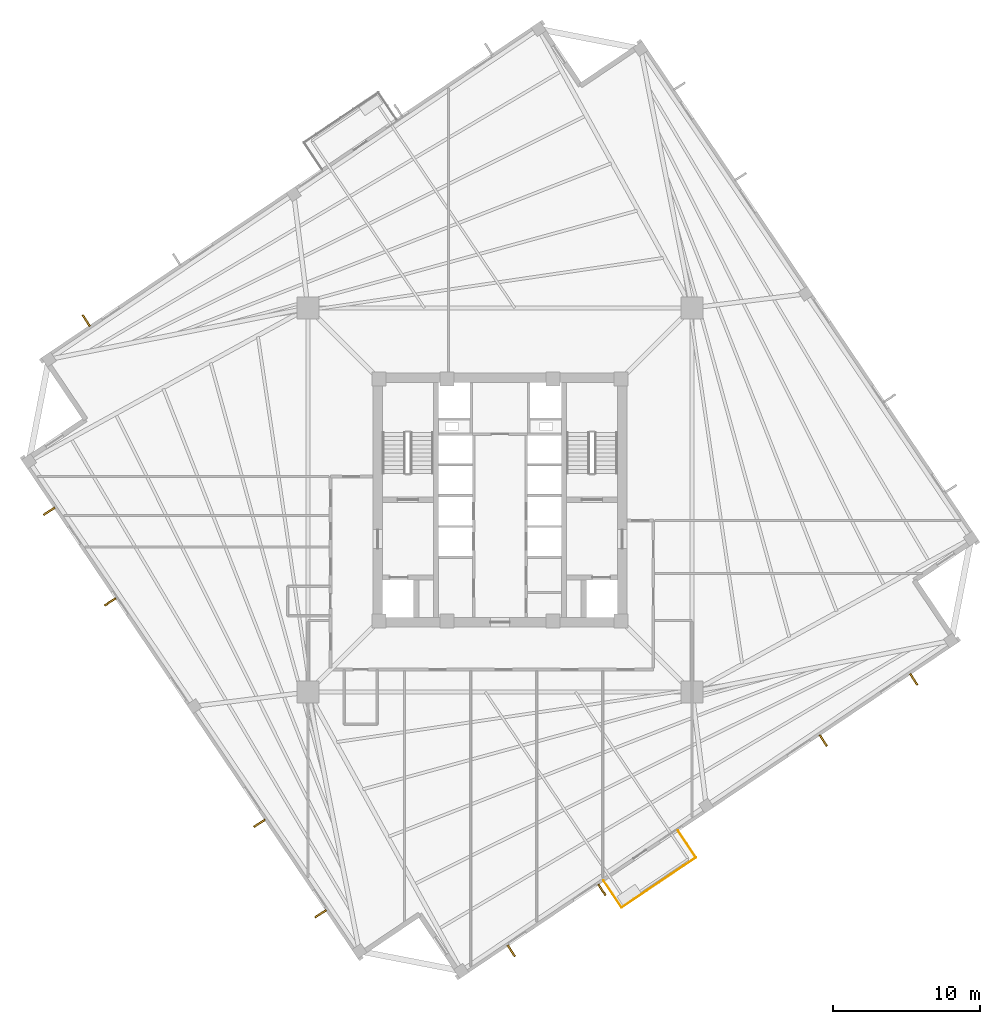
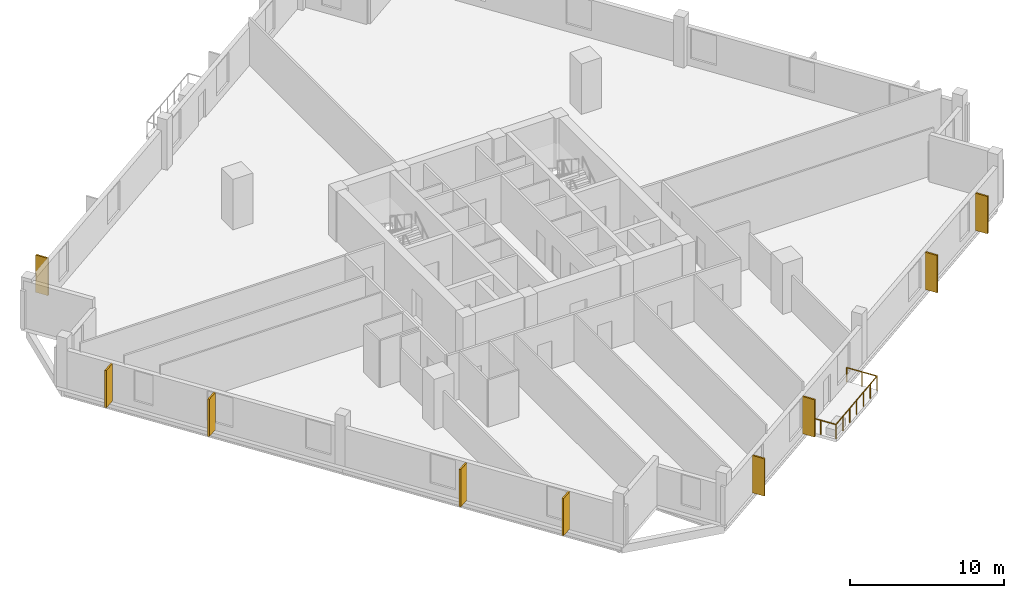
# One storey, part 7 of 9: 9 coverings, 3 railings.
"""IFC4 building model written with IfcOpenShell, lengths in metres."""

from ifc_helpers import new_model, si_unit, direction, frame, origin, origin_2d, place, context, subcontext, project, spatial, rectangle, circle, extrude, source, transform, mapped, material, layer, layer_set, type_object, element, save


model = new_model("IFC4")

# Units and contexts
model_context = context("Model", 3, precision=1e-05, world=origin(), true_north=direction((0.0, 1.0)))
body_context = subcontext(model_context, "Body", "Model", "MODEL_VIEW")
ifc_project = project(units=[si_unit("LENGTHUNIT", "METRE"), si_unit("AREAUNIT", "SQUARE_METRE"), si_unit("VOLUMEUNIT", "CUBIC_METRE"), si_unit("PLANEANGLEUNIT", "RADIAN"), si_unit("MASSUNIT", "GRAM", prefix="KILO"), si_unit("THERMODYNAMICTEMPERATUREUNIT", "KELVIN")], contexts=[model_context])

# Site, building, storey
site_placement = place(None, origin())
site = spatial("IfcSite", under=ifc_project, at=site_placement, CompositionType="ELEMENT")
building_placement = place(site_placement, origin())
building = spatial("IfcBuilding", under=site, at=building_placement, Name="Kosmvard Interchange Tower", CompositionType="ELEMENT")
storey_placement = place(building_placement, frame((0.0, 0.0, 164.39990234375)))
storey = spatial("IfcBuildingStorey", under=building, at=storey_placement, Name="L39", CompositionType="ELEMENT", Elevation=164.39990234375)

# Coverings
ifc_material_1 = material(Name="Architectural anodised aluminium", Category="aluminium")
ifc_layer = layer(ifc_material_1, 0.1201171875, Name="Architectural anodised aluminium")
ifc_layer_set = layer_set([ifc_layer], Name="Architectural anodised aluminium")
covering_type = type_object("IfcCoveringType", Name="Rotating Vertical Sun-Breaker Fin 900x120 Aluminium", PredefinedType="CLADDING", material=ifc_layer_set)
shared_shape_1 = source(origin(), body_context, "Body", "SweptSolid", [
    extrude(rectangle(XDim=0.89990234375, YDim=0.1201171875, at=origin_2d()), origin(), (0.0, 0.0, 1.0), 2.9599609375),
])
for number, where, z_axis, x_axis, name in (
    (1, (0.774169921875, -30.718994140625, 0.0400390625), (0.0, 0.0, 1.0), (0.549314536351, -0.835615665335, 0.0), "L39 Rotating Vertical Sun-Breaker Fin 01"),
    (2, (6.943115234375, -26.557861328125, 0.0400390625), (0.0, 0.0, 1.0), (0.549314536351, -0.835615665335, 0.0), "L39 Rotating Vertical Sun-Breaker Fin 02"),
    (3, (22.02294921875, -16.38623046875, 0.0400390625), (0.0, 0.0, 1.0), (0.549314536351, -0.835615665335, 0.0), "L39 Rotating Vertical Sun-Breaker Fin 03"),
    (4, (28.192138671875, -12.225341796875, 0.0400390625), (0.0, 0.0, 1.0), (0.549314536351, -0.835615665335, 0.0), "L39 Rotating Vertical Sun-Breaker Fin 04"),
    (5, (-28.192138671875, 12.225341796875, 0.0400390625), (0.0, 0.0, 1.0), (-0.549314536351, 0.835615665335, 0.0), "L39 Rotating Vertical Sun-Breaker Fin 12"),
    (6, (-30.718994140625, -0.774169921875, 0.0400390625), (0.0, 0.0, 1.0), (-0.835615665335, -0.549314536351, 0.0), "L39 Rotating Vertical Sun-Breaker Fin 13"),
    (7, (-26.557861328125, -6.943115234375, 0.0400390625), (0.0, 0.0, 1.0), (-0.835615665335, -0.549314536351, 0.0), "L39 Rotating Vertical Sun-Breaker Fin 14"),
    (8, (-16.38623046875, -22.02294921875, 0.0400390625), (0.0, 0.0, 1.0), (-0.835615665335, -0.549314536351, 0.0), "L39 Rotating Vertical Sun-Breaker Fin 15"),
    (9, (-12.225341796875, -28.192138671875, 0.0400390625), (0.0, 0.0, 1.0), (-0.835615665335, -0.549314536351, 0.0), "L39 Rotating Vertical Sun-Breaker Fin 16"),
):
    element("IfcCovering", number, at=place(storey_placement, frame(where, z_axis=z_axis, x_axis=x_axis)), inside=storey, type_object=covering_type, Name=name, PredefinedType="CLADDING", context=body_context, shape_type="MappedRepresentation", body=[
        mapped(shared_shape_1, transform((0.0, 0.0, 0.0), scale=1.0)),
    ])

# Railings
ifc_material_2 = material(Name="Steel S355", Category="steel")
railing_type = type_object("IfcRailingType", Name="Observation & Balcony Glass-Infill Balustrade 1150", PredefinedType="BALUSTRADE", material=ifc_material_2)
shared_shape_2 = source(origin(), body_context, "Body", "SweptSolid", [
    extrude(circle(Radius=0.02392578125, at=origin_2d()), frame((0.0, 0.0, 1.1259765625), z_axis=(0.559173597279, -0.829050594418, 0.0), x_axis=(0.829050594418, 0.559173597279, 0.0)), (0.0, 0.0, 1.0), 2.2001953125),
    extrude(circle(Radius=0.02099609375, at=origin_2d()), origin(), (0.0, 0.0, 1.0), 1.101806640625),
    extrude(circle(Radius=0.02099609375, at=origin_2d()), frame((0.615234375, -0.912109375, 0.0)), (0.0, 0.0, 1.0), 1.101806640625),
    extrude(circle(Radius=0.02099609375, at=origin_2d()), frame((1.230224609375, -1.823974609375, 0.0)), (0.0, 0.0, 1.0), 1.101806640625),
])
railing_1_placement = place(storey_placement, frame((7.060302734375, -25.93603515625, 0.0)))
element("IfcRailing", 10, at=railing_1_placement, inside=storey, type_object=railing_type, Name="L39 Outdoor Terrace Guard BAL-L39-S-A", PredefinedType="BALUSTRADE", context=body_context, shape_type="MappedRepresentation", body=[
    mapped(shared_shape_2, transform((0.0, 0.0, 0.0), scale=1.0)),
])
shared_shape_3 = source(origin(), body_context, "Body", "SweptSolid", [
    extrude(circle(Radius=0.02392578125, at=origin_2d()), frame((0.0, 0.0, 1.1259765625), z_axis=(0.829033294248, 0.55919924627, 0.0), x_axis=(-0.55919924627, 0.829033294248, 0.0)), (0.0, 0.0, 1.0), 6.10009765625),
    extrude(circle(Radius=0.02099609375, at=origin_2d()), origin(), (0.0, 0.0, 1.0), 1.101806640625),
    extrude(circle(Radius=0.02099609375, at=origin_2d()), frame((0.8427734375, 0.568603515625, 0.0)), (0.0, 0.0, 1.0), 1.101806640625),
    extrude(circle(Radius=0.02099609375, at=origin_2d()), frame((1.685791015625, 1.136962890625, 0.0)), (0.0, 0.0, 1.0), 1.101806640625),
    extrude(circle(Radius=0.02099609375, at=origin_2d()), frame((2.528564453125, 1.70556640625, 0.0)), (0.0, 0.0, 1.0), 1.101806640625),
    extrude(circle(Radius=0.02099609375, at=origin_2d()), frame((3.371337890625, 2.274169921875, 0.0)), (0.0, 0.0, 1.0), 1.101806640625),
    extrude(circle(Radius=0.02099609375, at=origin_2d()), frame((4.21435546875, 2.842529296875, 0.0)), (0.0, 0.0, 1.0), 1.101806640625),
    extrude(circle(Radius=0.02099609375, at=origin_2d()), frame((5.05712890625, 3.4111328125, 0.0)), (0.0, 0.0, 1.0), 1.101806640625),
])
railing_2_placement = place(storey_placement, frame((8.29052734375, -27.760009765625, 0.0)))
element("IfcRailing", 11, at=railing_2_placement, inside=storey, type_object=railing_type, Name="L39 Outdoor Terrace Guard BAL-L39-S-B", PredefinedType="BALUSTRADE", context=body_context, shape_type="MappedRepresentation", body=[
    mapped(shared_shape_3, transform((0.0, 0.0, 0.0), scale=1.0)),
])
shared_shape_4 = source(origin(), body_context, "Body", "SweptSolid", [
    extrude(circle(Radius=0.02392578125, at=origin_2d()), frame((0.0, 0.0, 1.1259765625), z_axis=(-0.559173597279, 0.829050594418, 0.0), x_axis=(-0.829050594418, -0.559173597279, 0.0)), (0.0, 0.0, 1.0), 2.2001953125),
    extrude(circle(Radius=0.02099609375, at=origin_2d()), origin(), (0.0, 0.0, 1.0), 1.101806640625),
    extrude(circle(Radius=0.02099609375, at=origin_2d()), frame((-0.615234375, 0.912109375, 0.0)), (0.0, 0.0, 1.0), 1.101806640625),
    extrude(circle(Radius=0.02099609375, at=origin_2d()), frame((-1.230224609375, 1.823974609375, 0.0)), (0.0, 0.0, 1.0), 1.101806640625),
])
railing_3_placement = place(storey_placement, frame((13.34765625, -24.348876953125, 0.0)))
element("IfcRailing", 12, at=railing_3_placement, inside=storey, type_object=railing_type, Name="L39 Outdoor Terrace Guard BAL-L39-S-C", PredefinedType="BALUSTRADE", context=body_context, shape_type="MappedRepresentation", body=[
    mapped(shared_shape_4, transform((0.0, 0.0, 0.0), scale=1.0)),
])

save(model, "model.ifc")
